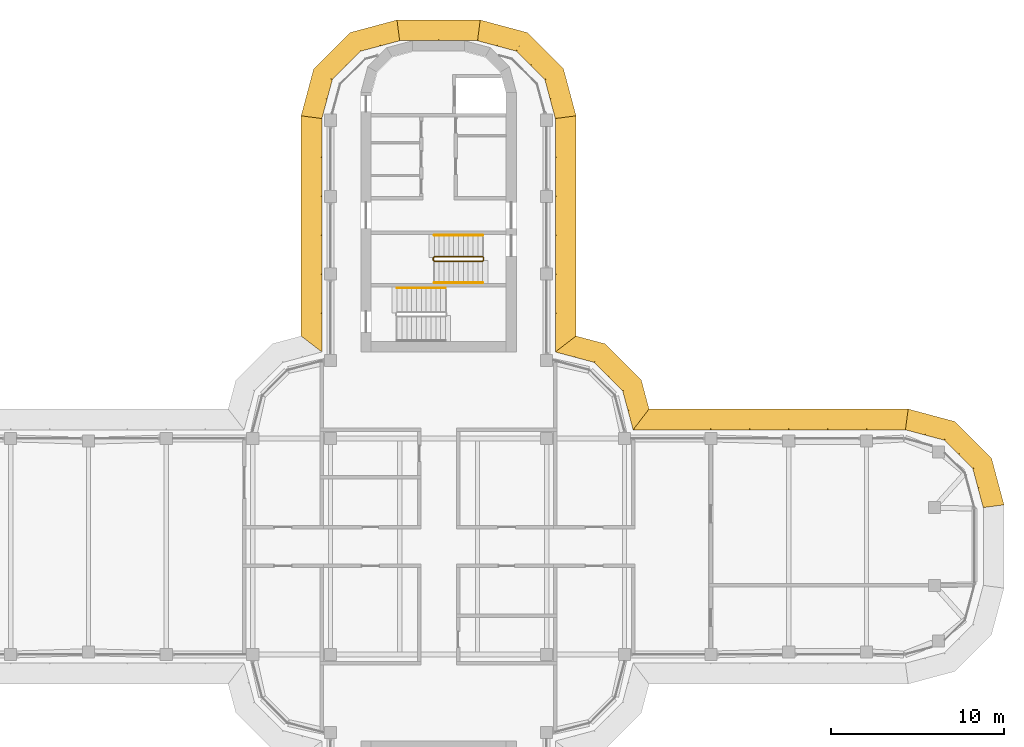
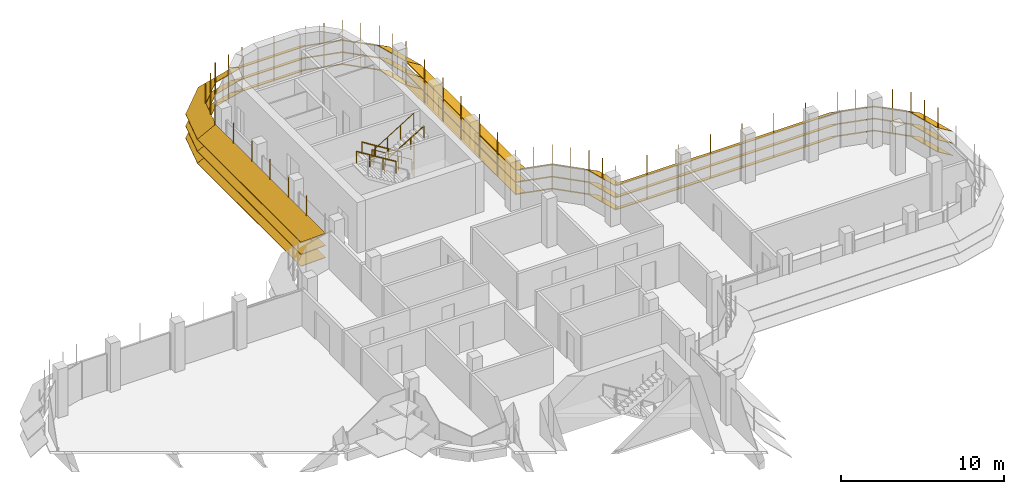
# One storey, part 18 of 19: 8 shading devices, 4 railings.
"""IFC4 building model written with IfcOpenShell, lengths in metres."""

from ifc_helpers import new_model, si_unit, direction, frame, origin, origin_2d, place, context, subcontext, project, spatial, polyline, circle, outline, extrude, faceted_brep, source, transform, mapped, material, type_object, element, save


model = new_model("IFC4")

# Units and contexts
model_context = context("Model", 3, precision=1e-05, world=origin(), true_north=direction((0.0, 1.0)))
body_context = subcontext(model_context, "Body", "Model", "MODEL_VIEW")
ifc_project = project(units=[si_unit("LENGTHUNIT", "METRE"), si_unit("AREAUNIT", "SQUARE_METRE"), si_unit("VOLUMEUNIT", "CUBIC_METRE"), si_unit("PLANEANGLEUNIT", "RADIAN"), si_unit("MASSUNIT", "GRAM", prefix="KILO")], contexts=[model_context])

# Site, building, storey
site_placement = place(None, origin())
site = spatial("IfcSite", under=ifc_project, at=site_placement, CompositionType="ELEMENT")
building_placement = place(site_placement, origin())
building = spatial("IfcBuilding", under=site, at=building_placement, Name="Zarbagh Exchange Tower", CompositionType="ELEMENT")
storey_placement = place(building_placement, frame((0.0, 0.0, 229.60009765625)))
storey = spatial("IfcBuildingStorey", under=building, at=storey_placement, Name="L56", CompositionType="ELEMENT", Elevation=229.60009765625)

# Railings
ifc_material_1 = material(Name="Stainless steel", Category="steel")
railing_type_1 = type_object("IfcRailingType", Name="Stair guard 1100 mm", PredefinedType="GUARDRAIL", material=ifc_material_1)
railing_1_placement = place(storey_placement, frame((2.550048828125, 16.75, 0.172607421875)))
element("IfcRailing", 1, at=railing_1_placement, inside=storey, type_object=railing_type_1, Name="ST1 stair guard 1", PredefinedType="GUARDRAIL", context=body_context, shape_type="SweptSolid", body=[
    extrude(circle(Radius=0.02392578125, at=origin_2d()), frame((0.0, 0.0, 1.076171875), z_axis=(-0.851089632645, 0.0, 0.525020415988), x_axis=(0.0, -1.0, 0.0)), (0.0, 0.0, 1.0), 3.2900390625),
    extrude(circle(Radius=0.02392578125, at=origin_2d()), frame((-2.800048828125, 0.0, 2.80322265625), z_axis=(-0.707106781187, -0.707106781187, 0.0), x_axis=(0.707106781187, -0.707106781187, 0.0)), (0.0, 0.0, 1.0), 0.07080078125),
    extrude(circle(Radius=0.02392578125, at=origin_2d()), frame((-2.85009765625, -0.050048828125, 2.80322265625), z_axis=(0.0, -1.0, 0.0), x_axis=(1.0, 0.0, 0.0)), (0.0, 0.0, 1.0), 0.14990234375),
    extrude(circle(Radius=0.02392578125, at=origin_2d()), frame((-2.85009765625, -0.199951171875, 2.80322265625), z_axis=(0.268277960024, -0.268277960024, 0.925231793839), x_axis=(0.707106781187, 0.707106781187, 0.0)), (0.0, 0.0, 1.0), 0.1865234375),
    extrude(circle(Radius=0.02392578125, at=origin_2d()), frame((-2.800048828125, -0.25, 2.97607421875), z_axis=(0.851089632645, 0.0, 0.525020415988), x_axis=(0.0, 1.0, 0.0)), (0.0, 0.0, 1.0), 3.2900390625),
    extrude(circle(Radius=0.02392578125, at=origin_2d()), frame((0.0, -0.25, 4.703125), z_axis=(0.013169136761, 0.013169136761, -0.999826558796), x_axis=(-0.707106781187, 0.707106781187, 0.0)), (0.0, 0.0, 1.0), 3.800537109375),
    extrude(circle(Radius=0.02392578125, at=origin_2d()), frame((0.050048828125, -0.199951171875, 0.9033203125), z_axis=(0.0, 1.0, 0.0), x_axis=(-1.0, 0.0, 0.0)), (0.0, 0.0, 1.0), 0.14990234375),
    extrude(circle(Radius=0.02099609375, at=origin_2d()), origin(), (0.0, 0.0, 1.0), 1.052001953125),
    extrude(circle(Radius=0.02099609375, at=origin_2d()), frame((-0.933349609375, 0.0, 0.57568359375)), (0.0, 0.0, 1.0), 1.052001953125),
    extrude(circle(Radius=0.02099609375, at=origin_2d()), frame((-1.86669921875, 0.0, 1.151611328125)), (0.0, 0.0, 1.0), 1.052001953125),
    extrude(circle(Radius=0.02099609375, at=origin_2d()), frame((-2.800048828125, 0.0, 1.727294921875)), (0.0, 0.0, 1.0), 1.052001953125),
    extrude(circle(Radius=0.02099609375, at=origin_2d()), frame((-2.85009765625, -0.050048828125, 1.727294921875)), (0.0, 0.0, 1.0), 1.052001953125),
    extrude(circle(Radius=0.02099609375, at=origin_2d()), frame((-2.85009765625, -0.199951171875, 1.727294921875)), (0.0, 0.0, 1.0), 1.052001953125),
    extrude(circle(Radius=0.02099609375, at=origin_2d()), frame((-2.800048828125, -0.25, 1.89990234375)), (0.0, 0.0, 1.0), 1.052001953125),
    extrude(circle(Radius=0.02099609375, at=origin_2d()), frame((-1.86669921875, -0.25, 2.4755859375)), (0.0, 0.0, 1.0), 1.052001953125),
    extrude(circle(Radius=0.02099609375, at=origin_2d()), frame((-0.933349609375, -0.25, 3.051513671875)), (0.0, 0.0, 1.0), 1.052001953125),
    extrude(circle(Radius=0.02099609375, at=origin_2d()), frame((0.0, -0.25, 3.627197265625)), (0.0, 0.0, 1.0), 1.052001953125),
    extrude(circle(Radius=0.02099609375, at=origin_2d()), frame((0.012451171875, -0.237548828125, 2.67724609375)), (0.0, 0.0, 1.0), 1.052001953125),
    extrude(circle(Radius=0.02099609375, at=origin_2d()), frame((0.02490234375, -0.22509765625, 1.727294921875)), (0.0, 0.0, 1.0), 1.052001953125),
    extrude(circle(Radius=0.02099609375, at=origin_2d()), frame((0.03759765625, -0.21240234375, 0.77734375)), (0.0, 0.0, 1.0), 1.052001953125),
    extrude(circle(Radius=0.02099609375, at=origin_2d()), frame((0.050048828125, -0.199951171875, -0.172607421875)), (0.0, 0.0, 1.0), 1.052001953125),
    extrude(circle(Radius=0.02099609375, at=origin_2d()), frame((0.050048828125, -0.050048828125, -0.172607421875)), (0.0, 0.0, 1.0), 1.052001953125),
])
railing_type_2 = type_object("IfcRailingType", Name="Stair handrail 900 mm", PredefinedType="HANDRAIL", material=ifc_material_1)
railing_2_placement = place(storey_placement, frame((2.550048828125, 18.0, 0.172607421875)))
element("IfcRailing", 2, at=railing_2_placement, inside=storey, type_object=railing_type_2, Name="ST1 stair handrail 1", PredefinedType="HANDRAIL", context=body_context, shape_type="SweptSolid", body=[
    extrude(circle(Radius=0.02392578125, at=origin_2d()), frame((0.0, 0.0, 0.8759765625), z_axis=(-0.851089632645, 0.0, 0.525020415988), x_axis=(0.0, -1.0, 0.0)), (0.0, 0.0, 1.0), 3.2900390625),
    extrude(circle(Radius=0.02099609375, at=origin_2d()), origin(), (0.0, 0.0, 1.0), 0.851806640625),
    extrude(circle(Radius=0.02099609375, at=origin_2d()), frame((-0.933349609375, 0.0, 0.57568359375)), (0.0, 0.0, 1.0), 0.851806640625),
    extrude(circle(Radius=0.02099609375, at=origin_2d()), frame((-1.86669921875, 0.0, 1.151611328125)), (0.0, 0.0, 1.0), 0.851806640625),
    extrude(circle(Radius=0.02099609375, at=origin_2d()), frame((-2.800048828125, 0.0, 1.727294921875)), (0.0, 0.0, 1.0), 0.851806640625),
])
railing_3_placement = place(storey_placement, frame((-0.25, 15.25, 2.072509765625)))
element("IfcRailing", 3, at=railing_3_placement, inside=storey, type_object=railing_type_2, Name="ST1 stair handrail 2", PredefinedType="HANDRAIL", context=body_context, shape_type="SweptSolid", body=[
    extrude(circle(Radius=0.02392578125, at=origin_2d()), frame((0.0, 0.0, 0.8759765625), z_axis=(0.851089632645, 0.0, 0.525020415988), x_axis=(0.0, 1.0, 0.0)), (0.0, 0.0, 1.0), 3.2900390625),
    extrude(circle(Radius=0.02099609375, at=origin_2d()), origin(), (0.0, 0.0, 1.0), 0.851806640625),
    extrude(circle(Radius=0.02099609375, at=origin_2d()), frame((0.933349609375, 0.0, 0.57568359375)), (0.0, 0.0, 1.0), 0.851806640625),
    extrude(circle(Radius=0.02099609375, at=origin_2d()), frame((1.86669921875, 0.0, 1.151611328125)), (0.0, 0.0, 1.0), 0.851806640625),
    extrude(circle(Radius=0.02099609375, at=origin_2d()), frame((2.800048828125, 0.0, 1.727294921875)), (0.0, 0.0, 1.0), 0.851806640625),
])
railing_4_placement = place(storey_placement, frame((0.39990234375, 14.949951171875, 2.072509765625)))
element("IfcRailing", 4, at=railing_4_placement, inside=storey, type_object=railing_type_2, Name="ST2 stair handrail 2", PredefinedType="HANDRAIL", context=body_context, shape_type="SweptSolid", body=[
    extrude(circle(Radius=0.02392578125, at=origin_2d()), frame((0.0, 0.0, 0.8759765625), z_axis=(-0.851069175582, 0.0, 0.525053576669), x_axis=(0.0, -1.0, 0.0)), (0.0, 0.0, 1.0), 3.289794921875),
    extrude(circle(Radius=0.02099609375, at=origin_2d()), origin(), (0.0, 0.0, 1.0), 0.851806640625),
    extrude(circle(Radius=0.02099609375, at=origin_2d()), frame((-0.933349609375, 0.0, 0.57568359375)), (0.0, 0.0, 1.0), 0.851806640625),
    extrude(circle(Radius=0.02099609375, at=origin_2d()), frame((-1.866455078125, 0.0, 1.151611328125)), (0.0, 0.0, 1.0), 0.851806640625),
    extrude(circle(Radius=0.02099609375, at=origin_2d()), frame((-2.7998046875, 0.0, 1.727294921875)), (0.0, 0.0, 1.0), 0.851806640625),
])

# Shading devices
ifc_material_2 = material(Name="Anodised aluminium blades and brackets", Category="aluminium")
shading_device_type = type_object("IfcShadingDeviceType", Name="SUNSHADE louvre band, 33.75 degree blades", PredefinedType="JALOUSIE", material=ifc_material_2)
shared_shape_1 = source(origin(), body_context, "Body", "Brep", [
    faceted_brep([(0.0, 0.0, 0.0), (0.0, 0.0, -0.048095703125), (-0.157958984375, -1.199951171875, -0.849853515625), (-0.157958984375, -1.199951171875, -0.8017578125), (2.65087890625, -1.199951171875, -0.8017578125), (2.65087890625, -1.199951171875, -0.849853515625), (2.329345703125, 0.0, -0.048095703125), (2.329345703125, 0.0, 0.0)], [[[0, 1, 2, 3]], [[4, 5, 6, 7]], [[0, 7, 6, 1]], [[1, 6, 5, 2]], [[2, 5, 4, 3]], [[3, 4, 7, 0]]]),
])
shared_shape_2 = source(origin(), body_context, "Body", "Brep", [
    faceted_brep([(0.0, 0.0, 0.0), (0.0, 0.0, -0.048095703125), (-0.321533203125, -1.199951171875, -0.849853515625), (-0.321533203125, -1.199951171875, -0.8017578125), (2.65087890625, -1.199951171875, -0.8017578125), (2.65087890625, -1.199951171875, -0.849853515625), (2.329345703125, 0.0, -0.048095703125), (2.329345703125, 0.0, 0.0)], [[[0, 1, 2, 3]], [[4, 5, 6, 7]], [[0, 7, 6, 1]], [[1, 6, 5, 2]], [[2, 5, 4, 3]], [[3, 4, 7, 0]]]),
])
shared_shape_3 = source(origin(), body_context, "Body", "Brep", [
    faceted_brep([(0.0, 0.0, 0.0), (0.0, 0.0, -0.048095703125), (-0.321533203125, -1.199951171875, -0.849853515625), (-0.321533203125, -1.199951171875, -0.8017578125), (2.4873046875, -1.199951171875, -0.8017578125), (2.4873046875, -1.199951171875, -0.849853515625), (2.329345703125, 0.0, -0.048095703125), (2.329345703125, 0.0, 0.0)], [[[0, 1, 2, 3]], [[4, 5, 6, 7]], [[0, 7, 6, 1]], [[1, 6, 5, 2]], [[2, 5, 4, 3]], [[3, 4, 7, 0]]]),
])
shared_shape_4 = source(origin(), body_context, "Body", "SweptSolid", [
    extrude(outline(polyline([(0.0, -0.012451171875), (0.06005859375, -0.012451171875), (0.06005859375, 0.012451171875), (0.0, 0.012451171875), (0.0, -0.012451171875)])), origin(), (0.0, 0.0, 1.0), 3.358154296875),
])
placement = place(storey_placement, origin())
element("IfcShadingDevice", 5, at=placement, inside=storey, type_object=shading_device_type, Name="SS33 sunshade band", PredefinedType="JALOUSIE", context=body_context, shape_type="MappedRepresentation", body=[
    mapped(shared_shape_1, transform((31.5, 2.25, 2.2998046875), x_axis=(-0.258824779902, 0.965924289636, 0.0), y_axis=(-0.965924289636, -0.258824779902, 0.0), z_axis=(0.0, 0.0, 1.0))),
    mapped(shared_shape_1, transform((31.5, 2.25, 1.39990234375), x_axis=(-0.258824779902, 0.965924289636, 0.0), y_axis=(-0.965924289636, -0.258824779902, 0.0), z_axis=(0.0, 0.0, 1.0))),
    mapped(shared_shape_1, transform((31.5, 2.25, 0.5), x_axis=(-0.258824779902, 0.965924289636, 0.0), y_axis=(-0.965924289636, -0.258824779902, 0.0), z_axis=(0.0, 0.0, 1.0))),
    mapped(shared_shape_2, transform((30.897216796875, 4.5, 2.2998046875), x_axis=(-0.707106781187, 0.707106781187, 0.0), y_axis=(-0.707106781187, -0.707106781187, 0.0), z_axis=(0.0, 0.0, 1.0))),
    mapped(shared_shape_2, transform((30.897216796875, 4.5, 1.39990234375), x_axis=(-0.707106781187, 0.707106781187, 0.0), y_axis=(-0.707106781187, -0.707106781187, 0.0), z_axis=(0.0, 0.0, 1.0))),
    mapped(shared_shape_2, transform((30.897216796875, 4.5, 0.5), x_axis=(-0.707106781187, 0.707106781187, 0.0), y_axis=(-0.707106781187, -0.707106781187, 0.0), z_axis=(0.0, 0.0, 1.0))),
    mapped(shared_shape_3, transform((29.25, 6.147216796875, 2.2998046875), x_axis=(-0.965924289636, 0.258824779902, 0.0), y_axis=(-0.258824779902, -0.965924289636, 0.0), z_axis=(0.0, 0.0, 1.0))),
    mapped(shared_shape_3, transform((29.25, 6.147216796875, 1.39990234375), x_axis=(-0.965924289636, 0.258824779902, 0.0), y_axis=(-0.258824779902, -0.965924289636, 0.0), z_axis=(0.0, 0.0, 1.0))),
    mapped(shared_shape_3, transform((29.25, 6.147216796875, 0.5), x_axis=(-0.965924289636, 0.258824779902, 0.0), y_axis=(-0.258824779902, -0.965924289636, 0.0), z_axis=(0.0, 0.0, 1.0))),
    mapped(shared_shape_4, transform((31.5, 2.25, 0.421875), x_axis=(0.991444457092, 0.130529263012, 0.0), y_axis=(-0.130529263012, 0.991444457092, 0.0), z_axis=(0.0, 0.0, 1.0))),
    mapped(shared_shape_4, transform((31.198486328125, 3.375, 0.421875), x_axis=(0.96592421511, 0.258825058029, 0.0), y_axis=(-0.258825058029, 0.96592421511, 0.0), z_axis=(0.0, 0.0, 1.0))),
    mapped(shared_shape_4, transform((30.897216796875, 4.5, 0.421875), x_axis=(0.866023812018, 0.50000275701, 0.0), y_axis=(-0.50000275701, 0.866023812018, 0.0), z_axis=(0.0, 0.0, 1.0))),
    mapped(shared_shape_4, transform((30.073486328125, 5.323486328125, 0.421875), x_axis=(0.707106781187, 0.707106781187, 0.0), y_axis=(-0.707106781187, 0.707106781187, 0.0), z_axis=(0.0, 0.0, 1.0))),
    mapped(shared_shape_4, transform((29.25, 6.147216796875, 0.421875), x_axis=(0.50000275701, 0.866023812018, 0.0), y_axis=(-0.866023812018, 0.50000275701, 0.0), z_axis=(0.0, 0.0, 1.0))),
    mapped(shared_shape_4, transform((28.125, 6.448486328125, 0.421875), x_axis=(0.258825058029, 0.96592421511, 0.0), y_axis=(-0.96592421511, 0.258825058029, 0.0), z_axis=(0.0, 0.0, 1.0))),
])
element("IfcShadingDevice", 6, at=placement, inside=storey, type_object=shading_device_type, Name="SS46 sunshade band", PredefinedType="JALOUSIE", context=body_context, shape_type="MappedRepresentation", body=[
    mapped(shared_shape_1, transform((6.75, 24.75, 2.2998046875), x_axis=(-0.258824779902, 0.965924289636, 0.0), y_axis=(-0.965924289636, -0.258824779902, 0.0), z_axis=(0.0, 0.0, 1.0))),
    mapped(shared_shape_1, transform((6.75, 24.75, 1.39990234375), x_axis=(-0.258824779902, 0.965924289636, 0.0), y_axis=(-0.965924289636, -0.258824779902, 0.0), z_axis=(0.0, 0.0, 1.0))),
    mapped(shared_shape_1, transform((6.75, 24.75, 0.5), x_axis=(-0.258824779902, 0.965924289636, 0.0), y_axis=(-0.965924289636, -0.258824779902, 0.0), z_axis=(0.0, 0.0, 1.0))),
    mapped(shared_shape_2, transform((6.147216796875, 27.0, 2.2998046875), x_axis=(-0.707106781187, 0.707106781187, 0.0), y_axis=(-0.707106781187, -0.707106781187, 0.0), z_axis=(0.0, 0.0, 1.0))),
    mapped(shared_shape_2, transform((6.147216796875, 27.0, 1.39990234375), x_axis=(-0.707106781187, 0.707106781187, 0.0), y_axis=(-0.707106781187, -0.707106781187, 0.0), z_axis=(0.0, 0.0, 1.0))),
    mapped(shared_shape_2, transform((6.147216796875, 27.0, 0.5), x_axis=(-0.707106781187, 0.707106781187, 0.0), y_axis=(-0.707106781187, -0.707106781187, 0.0), z_axis=(0.0, 0.0, 1.0))),
    mapped(shared_shape_3, transform((4.5, 28.647216796875, 2.2998046875), x_axis=(-0.965924289636, 0.258824779902, 0.0), y_axis=(-0.258824779902, -0.965924289636, 0.0), z_axis=(0.0, 0.0, 1.0))),
    mapped(shared_shape_3, transform((4.5, 28.647216796875, 1.39990234375), x_axis=(-0.965924289636, 0.258824779902, 0.0), y_axis=(-0.258824779902, -0.965924289636, 0.0), z_axis=(0.0, 0.0, 1.0))),
    mapped(shared_shape_3, transform((4.5, 28.647216796875, 0.5), x_axis=(-0.965924289636, 0.258824779902, 0.0), y_axis=(-0.258824779902, -0.965924289636, 0.0), z_axis=(0.0, 0.0, 1.0))),
    mapped(shared_shape_4, transform((6.75, 24.75, 0.421875), x_axis=(0.991444457092, 0.130529263012, 0.0), y_axis=(-0.130529263012, 0.991444457092, 0.0), z_axis=(0.0, 0.0, 1.0))),
    mapped(shared_shape_4, transform((6.448486328125, 25.875, 0.421875), x_axis=(0.96592421511, 0.258825058029, 0.0), y_axis=(-0.258825058029, 0.96592421511, 0.0), z_axis=(0.0, 0.0, 1.0))),
    mapped(shared_shape_4, transform((6.147216796875, 27.0, 0.421875), x_axis=(0.866023812018, 0.50000275701, 0.0), y_axis=(-0.50000275701, 0.866023812018, 0.0), z_axis=(0.0, 0.0, 1.0))),
    mapped(shared_shape_4, transform((5.323486328125, 27.823486328125, 0.421875), x_axis=(0.707106781187, 0.707106781187, 0.0), y_axis=(-0.707106781187, 0.707106781187, 0.0), z_axis=(0.0, 0.0, 1.0))),
    mapped(shared_shape_4, transform((4.5, 28.647216796875, 0.421875), x_axis=(0.50000275701, 0.866023812018, 0.0), y_axis=(-0.866023812018, 0.50000275701, 0.0), z_axis=(0.0, 0.0, 1.0))),
    mapped(shared_shape_4, transform((3.375, 28.948486328125, 0.421875), x_axis=(0.258825058029, 0.96592421511, 0.0), y_axis=(-0.96592421511, 0.258825058029, 0.0), z_axis=(0.0, 0.0, 1.0))),
])
element("IfcShadingDevice", 7, at=placement, inside=storey, type_object=shading_device_type, Name="SS48 sunshade band", PredefinedType="JALOUSIE", context=body_context, shape_type="MappedRepresentation", body=[
    mapped(shared_shape_1, transform((-2.25, 29.25, 2.2998046875), x_axis=(-0.965924289636, -0.258824779902, 0.0), y_axis=(0.258824779902, -0.965924289636, 0.0), z_axis=(0.0, 0.0, 1.0))),
    mapped(shared_shape_1, transform((-2.25, 29.25, 1.39990234375), x_axis=(-0.965924289636, -0.258824779902, 0.0), y_axis=(0.258824779902, -0.965924289636, 0.0), z_axis=(0.0, 0.0, 1.0))),
    mapped(shared_shape_1, transform((-2.25, 29.25, 0.5), x_axis=(-0.965924289636, -0.258824779902, 0.0), y_axis=(0.258824779902, -0.965924289636, 0.0), z_axis=(0.0, 0.0, 1.0))),
    mapped(shared_shape_2, transform((-4.5, 28.647216796875, 2.2998046875), x_axis=(-0.707106781187, -0.707106781187, 0.0), y_axis=(0.707106781187, -0.707106781187, 0.0), z_axis=(0.0, 0.0, 1.0))),
    mapped(shared_shape_2, transform((-4.5, 28.647216796875, 1.39990234375), x_axis=(-0.707106781187, -0.707106781187, 0.0), y_axis=(0.707106781187, -0.707106781187, 0.0), z_axis=(0.0, 0.0, 1.0))),
    mapped(shared_shape_2, transform((-4.5, 28.647216796875, 0.5), x_axis=(-0.707106781187, -0.707106781187, 0.0), y_axis=(0.707106781187, -0.707106781187, 0.0), z_axis=(0.0, 0.0, 1.0))),
    mapped(shared_shape_3, transform((-6.147216796875, 27.0, 2.2998046875), x_axis=(-0.258824779902, -0.965924289636, 0.0), y_axis=(0.965924289636, -0.258824779902, 0.0), z_axis=(0.0, 0.0, 1.0))),
    mapped(shared_shape_3, transform((-6.147216796875, 27.0, 1.39990234375), x_axis=(-0.258824779902, -0.965924289636, 0.0), y_axis=(0.965924289636, -0.258824779902, 0.0), z_axis=(0.0, 0.0, 1.0))),
    mapped(shared_shape_3, transform((-6.147216796875, 27.0, 0.5), x_axis=(-0.258824779902, -0.965924289636, 0.0), y_axis=(0.965924289636, -0.258824779902, 0.0), z_axis=(0.0, 0.0, 1.0))),
    mapped(shared_shape_4, transform((-2.25, 29.25, 0.421875), x_axis=(-0.130529263012, 0.991444457092, 0.0), y_axis=(-0.991444457092, -0.130529263012, 0.0), z_axis=(0.0, 0.0, 1.0))),
    mapped(shared_shape_4, transform((-3.375, 28.948486328125, 0.421875), x_axis=(-0.258825058029, 0.96592421511, 0.0), y_axis=(-0.96592421511, -0.258825058029, 0.0), z_axis=(0.0, 0.0, 1.0))),
    mapped(shared_shape_4, transform((-4.5, 28.647216796875, 0.421875), x_axis=(-0.50000275701, 0.866023812018, 0.0), y_axis=(-0.866023812018, -0.50000275701, 0.0), z_axis=(0.0, 0.0, 1.0))),
    mapped(shared_shape_4, transform((-5.323486328125, 27.823486328125, 0.421875), x_axis=(-0.707106781187, 0.707106781187, 0.0), y_axis=(-0.707106781187, -0.707106781187, 0.0), z_axis=(0.0, 0.0, 1.0))),
    mapped(shared_shape_4, transform((-6.147216796875, 27.0, 0.421875), x_axis=(-0.866023812018, 0.50000275701, 0.0), y_axis=(-0.50000275701, -0.866023812018, 0.0), z_axis=(0.0, 0.0, 1.0))),
    mapped(shared_shape_4, transform((-6.448486328125, 25.875, 0.421875), x_axis=(-0.96592421511, 0.258825058029, 0.0), y_axis=(-0.258825058029, -0.96592421511, 0.0), z_axis=(0.0, 0.0, 1.0))),
])
shared_shape_5 = source(origin(), body_context, "Body", "Brep", [
    faceted_brep([(0.0, 0.0, 0.0), (0.0, 0.0, -0.048095703125), (0.9208984375, -1.199951171875, -0.849853515625), (0.9208984375, -1.199951171875, -0.8017578125), (2.65087890625, -1.199951171875, -0.8017578125), (2.65087890625, -1.199951171875, -0.849853515625), (2.329345703125, 0.0, -0.048095703125), (2.329345703125, 0.0, 0.0)], [[[0, 1, 2, 3]], [[4, 5, 6, 7]], [[0, 7, 6, 1]], [[1, 6, 5, 2]], [[2, 5, 4, 3]], [[3, 4, 7, 0]]]),
])
shared_shape_6 = source(origin(), body_context, "Body", "Brep", [
    faceted_brep([(0.0, 0.0, 0.0), (0.0, 0.0, -0.048095703125), (-0.321533203125, -1.199951171875, -0.849853515625), (-0.321533203125, -1.199951171875, -0.8017578125), (1.40869140625, -1.199951171875, -0.8017578125), (1.40869140625, -1.199951171875, -0.849853515625), (2.329345703125, 0.0, -0.048095703125), (2.329345703125, 0.0, 0.0)], [[[0, 1, 2, 3]], [[4, 5, 6, 7]], [[0, 7, 6, 1]], [[1, 6, 5, 2]], [[2, 5, 4, 3]], [[3, 4, 7, 0]]]),
])
element("IfcShadingDevice", 8, at=placement, inside=storey, type_object=shading_device_type, Name="SS09 sunshade band", PredefinedType="JALOUSIE", context=body_context, shape_type="MappedRepresentation", body=[
    mapped(shared_shape_5, transform((11.25, 6.75, 2.2998046875), x_axis=(-0.258824779902, 0.965924289636, 0.0), y_axis=(-0.965924289636, -0.258824779902, 0.0), z_axis=(0.0, 0.0, 1.0))),
    mapped(shared_shape_5, transform((11.25, 6.75, 1.39990234375), x_axis=(-0.258824779902, 0.965924289636, 0.0), y_axis=(-0.965924289636, -0.258824779902, 0.0), z_axis=(0.0, 0.0, 1.0))),
    mapped(shared_shape_5, transform((11.25, 6.75, 0.5), x_axis=(-0.258824779902, 0.965924289636, 0.0), y_axis=(-0.965924289636, -0.258824779902, 0.0), z_axis=(0.0, 0.0, 1.0))),
    mapped(shared_shape_2, transform((10.647216796875, 9.0, 2.2998046875), x_axis=(-0.707106781187, 0.707106781187, 0.0), y_axis=(-0.707106781187, -0.707106781187, 0.0), z_axis=(0.0, 0.0, 1.0))),
    mapped(shared_shape_2, transform((10.647216796875, 9.0, 1.39990234375), x_axis=(-0.707106781187, 0.707106781187, 0.0), y_axis=(-0.707106781187, -0.707106781187, 0.0), z_axis=(0.0, 0.0, 1.0))),
    mapped(shared_shape_2, transform((10.647216796875, 9.0, 0.5), x_axis=(-0.707106781187, 0.707106781187, 0.0), y_axis=(-0.707106781187, -0.707106781187, 0.0), z_axis=(0.0, 0.0, 1.0))),
    mapped(shared_shape_6, transform((9.0, 10.647216796875, 2.2998046875), x_axis=(-0.965924289636, 0.258824779902, 0.0), y_axis=(-0.258824779902, -0.965924289636, 0.0), z_axis=(0.0, 0.0, 1.0))),
    mapped(shared_shape_6, transform((9.0, 10.647216796875, 1.39990234375), x_axis=(-0.965924289636, 0.258824779902, 0.0), y_axis=(-0.258824779902, -0.965924289636, 0.0), z_axis=(0.0, 0.0, 1.0))),
    mapped(shared_shape_6, transform((9.0, 10.647216796875, 0.5), x_axis=(-0.965924289636, 0.258824779902, 0.0), y_axis=(-0.258824779902, -0.965924289636, 0.0), z_axis=(0.0, 0.0, 1.0))),
    mapped(shared_shape_4, transform((11.25, 6.75, 0.421875), x_axis=(0.608758892, 0.793355287, 0.0), y_axis=(-0.793355287, 0.608758892, 0.0), z_axis=(0.0, 0.0, 1.0))),
    mapped(shared_shape_4, transform((10.948486328125, 7.875, 0.421875), x_axis=(0.96592421511, 0.258825058029, 0.0), y_axis=(-0.258825058029, 0.96592421511, 0.0), z_axis=(0.0, 0.0, 1.0))),
    mapped(shared_shape_4, transform((10.647216796875, 9.0, 0.421875), x_axis=(0.866023812018, 0.50000275701, 0.0), y_axis=(-0.50000275701, 0.866023812018, 0.0), z_axis=(0.0, 0.0, 1.0))),
    mapped(shared_shape_4, transform((9.823486328125, 9.823486328125, 0.421875), x_axis=(0.707106781187, 0.707106781187, 0.0), y_axis=(-0.707106781187, 0.707106781187, 0.0), z_axis=(0.0, 0.0, 1.0))),
    mapped(shared_shape_4, transform((9.0, 10.647216796875, 0.421875), x_axis=(0.50000275701, 0.866023812018, 0.0), y_axis=(-0.866023812018, 0.50000275701, 0.0), z_axis=(0.0, 0.0, 1.0))),
    mapped(shared_shape_4, transform((7.875, 10.948486328125, 0.421875), x_axis=(0.258825058029, 0.96592421511, 0.0), y_axis=(-0.96592421511, 0.258825058029, 0.0), z_axis=(0.0, 0.0, 1.0))),
])
shared_shape_7 = source(origin(), body_context, "Body", "Brep", [
    faceted_brep([(0.0, 0.0, 0.0), (0.0, 0.0, -0.048095703125), (-0.157958984375, -1.199951171875, -0.849853515625), (-0.157958984375, -1.199951171875, -0.8017578125), (14.8291015625, -1.199951171875, -0.8017578125), (14.8291015625, -1.199951171875, -0.849853515625), (15.75, 0.0, -0.048095703125), (15.75, 0.0, 0.0)], [[[0, 1, 2, 3]], [[4, 5, 6, 7]], [[0, 7, 6, 1]], [[1, 6, 5, 2]], [[2, 5, 4, 3]], [[3, 4, 7, 0]]]),
])
element("IfcShadingDevice", 9, at=placement, inside=storey, type_object=shading_device_type, Name="SS34 sunshade band", PredefinedType="JALOUSIE", context=body_context, shape_type="MappedRepresentation", body=[
    mapped(shared_shape_7, transform((27.0, 6.75, 2.2998046875), x_axis=(-1.0, 0.0, 0.0), y_axis=(0.0, -1.0, 0.0), z_axis=(0.0, 0.0, 1.0))),
    mapped(shared_shape_7, transform((27.0, 6.75, 1.39990234375), x_axis=(-1.0, 0.0, 0.0), y_axis=(0.0, -1.0, 0.0), z_axis=(0.0, 0.0, 1.0))),
    mapped(shared_shape_7, transform((27.0, 6.75, 0.5), x_axis=(-1.0, 0.0, 0.0), y_axis=(0.0, -1.0, 0.0), z_axis=(0.0, 0.0, 1.0))),
    mapped(shared_shape_4, transform((27.0, 6.75, 0.421875), x_axis=(0.130529263012, 0.991444457092, 0.0), y_axis=(-0.991444457092, 0.130529263012, 0.0), z_axis=(0.0, 0.0, 1.0))),
    mapped(shared_shape_4, transform((24.75, 6.75, 0.421875), x_axis=(0.0, 1.0, 0.0), y_axis=(-1.0, 0.0, 0.0), z_axis=(0.0, 0.0, 1.0))),
    mapped(shared_shape_4, transform((22.5, 6.75, 0.421875), x_axis=(0.0, 1.0, 0.0), y_axis=(-1.0, 0.0, 0.0), z_axis=(0.0, 0.0, 1.0))),
    mapped(shared_shape_4, transform((20.25, 6.75, 0.421875), x_axis=(0.0, 1.0, 0.0), y_axis=(-1.0, 0.0, 0.0), z_axis=(0.0, 0.0, 1.0))),
    mapped(shared_shape_4, transform((18.0, 6.75, 0.421875), x_axis=(0.0, 1.0, 0.0), y_axis=(-1.0, 0.0, 0.0), z_axis=(0.0, 0.0, 1.0))),
    mapped(shared_shape_4, transform((15.75, 6.75, 0.421875), x_axis=(0.0, 1.0, 0.0), y_axis=(-1.0, 0.0, 0.0), z_axis=(0.0, 0.0, 1.0))),
    mapped(shared_shape_4, transform((13.5, 6.75, 0.421875), x_axis=(0.0, 1.0, 0.0), y_axis=(-1.0, 0.0, 0.0), z_axis=(0.0, 0.0, 1.0))),
])
shared_shape_8 = source(origin(), body_context, "Body", "Brep", [
    faceted_brep([(0.0, 0.0, 0.0), (0.0, 0.0, -0.048095703125), (0.9208984375, -1.199951171875, -0.849853515625), (0.9208984375, -1.199951171875, -0.8017578125), (13.657958984375, -1.199951171875, -0.8017578125), (13.657958984375, -1.199951171875, -0.849853515625), (13.5, 0.0, -0.048095703125), (13.5, 0.0, 0.0)], [[[0, 1, 2, 3]], [[4, 5, 6, 7]], [[0, 7, 6, 1]], [[1, 6, 5, 2]], [[2, 5, 4, 3]], [[3, 4, 7, 0]]]),
])
element("IfcShadingDevice", 10, at=placement, inside=storey, type_object=shading_device_type, Name="SS45 sunshade band", PredefinedType="JALOUSIE", context=body_context, shape_type="MappedRepresentation", body=[
    mapped(shared_shape_8, transform((6.75, 11.25, 2.2998046875), x_axis=(0.0, 1.0, 0.0), y_axis=(-1.0, 0.0, 0.0), z_axis=(0.0, 0.0, 1.0))),
    mapped(shared_shape_8, transform((6.75, 11.25, 1.39990234375), x_axis=(0.0, 1.0, 0.0), y_axis=(-1.0, 0.0, 0.0), z_axis=(0.0, 0.0, 1.0))),
    mapped(shared_shape_8, transform((6.75, 11.25, 0.5), x_axis=(0.0, 1.0, 0.0), y_axis=(-1.0, 0.0, 0.0), z_axis=(0.0, 0.0, 1.0))),
    mapped(shared_shape_4, transform((6.75, 11.25, 0.421875), x_axis=(0.793355287, 0.608758892, 0.0), y_axis=(-0.608758892, 0.793355287, 0.0), z_axis=(0.0, 0.0, 1.0))),
    mapped(shared_shape_4, transform((6.75, 13.5, 0.421875), x_axis=(1.0, 0.0, 0.0), y_axis=(0.0, 1.0, 0.0), z_axis=(0.0, 0.0, 1.0))),
    mapped(shared_shape_4, transform((6.75, 15.75, 0.421875), x_axis=(1.0, 0.0, 0.0), y_axis=(0.0, 1.0, 0.0), z_axis=(0.0, 0.0, 1.0))),
    mapped(shared_shape_4, transform((6.75, 18.0, 0.421875), x_axis=(1.0, 0.0, 0.0), y_axis=(0.0, 1.0, 0.0), z_axis=(0.0, 0.0, 1.0))),
    mapped(shared_shape_4, transform((6.75, 20.25, 0.421875), x_axis=(1.0, 0.0, 0.0), y_axis=(0.0, 1.0, 0.0), z_axis=(0.0, 0.0, 1.0))),
    mapped(shared_shape_4, transform((6.75, 22.5, 0.421875), x_axis=(1.0, 0.0, 0.0), y_axis=(0.0, 1.0, 0.0), z_axis=(0.0, 0.0, 1.0))),
])
shared_shape_9 = source(origin(), body_context, "Body", "Brep", [
    faceted_brep([(0.0, 0.0, 0.0), (0.0, 0.0, -0.048095703125), (-0.157958984375, -1.199951171875, -0.849853515625), (-0.157958984375, -1.199951171875, -0.8017578125), (4.657958984375, -1.199951171875, -0.8017578125), (4.657958984375, -1.199951171875, -0.849853515625), (4.5, 0.0, -0.048095703125), (4.5, 0.0, 0.0)], [[[0, 1, 2, 3]], [[4, 5, 6, 7]], [[0, 7, 6, 1]], [[1, 6, 5, 2]], [[2, 5, 4, 3]], [[3, 4, 7, 0]]]),
])
element("IfcShadingDevice", 11, at=placement, inside=storey, type_object=shading_device_type, Name="SS47 sunshade band", PredefinedType="JALOUSIE", context=body_context, shape_type="MappedRepresentation", body=[
    mapped(shared_shape_9, transform((2.25, 29.25, 2.2998046875), x_axis=(-1.0, 0.0, 0.0), y_axis=(0.0, -1.0, 0.0), z_axis=(0.0, 0.0, 1.0))),
    mapped(shared_shape_9, transform((2.25, 29.25, 1.39990234375), x_axis=(-1.0, 0.0, 0.0), y_axis=(0.0, -1.0, 0.0), z_axis=(0.0, 0.0, 1.0))),
    mapped(shared_shape_9, transform((2.25, 29.25, 0.5), x_axis=(-1.0, 0.0, 0.0), y_axis=(0.0, -1.0, 0.0), z_axis=(0.0, 0.0, 1.0))),
    mapped(shared_shape_4, transform((2.25, 29.25, 0.421875), x_axis=(0.130529263012, 0.991444457092, 0.0), y_axis=(-0.991444457092, 0.130529263012, 0.0), z_axis=(0.0, 0.0, 1.0))),
    mapped(shared_shape_4, transform((0.0, 29.25, 0.421875), x_axis=(0.0, 1.0, 0.0), y_axis=(-1.0, 0.0, 0.0), z_axis=(0.0, 0.0, 1.0))),
])
shared_shape_10 = source(origin(), body_context, "Body", "Brep", [
    faceted_brep([(0.0, 0.0, 0.0), (0.0, 0.0, -0.048095703125), (-0.157958984375, -1.199951171875, -0.849853515625), (-0.157958984375, -1.199951171875, -0.8017578125), (12.5791015625, -1.199951171875, -0.8017578125), (12.5791015625, -1.199951171875, -0.849853515625), (13.5, 0.0, -0.048095703125), (13.5, 0.0, 0.0)], [[[0, 1, 2, 3]], [[4, 5, 6, 7]], [[0, 7, 6, 1]], [[1, 6, 5, 2]], [[2, 5, 4, 3]], [[3, 4, 7, 0]]]),
])
element("IfcShadingDevice", 12, at=placement, inside=storey, type_object=shading_device_type, Name="SS49 sunshade band", PredefinedType="JALOUSIE", context=body_context, shape_type="MappedRepresentation", body=[
    mapped(shared_shape_10, transform((-6.75, 24.75, 2.2998046875), x_axis=(0.0, -1.0, 0.0), y_axis=(1.0, 0.0, 0.0), z_axis=(0.0, 0.0, 1.0))),
    mapped(shared_shape_10, transform((-6.75, 24.75, 1.39990234375), x_axis=(0.0, -1.0, 0.0), y_axis=(1.0, 0.0, 0.0), z_axis=(0.0, 0.0, 1.0))),
    mapped(shared_shape_10, transform((-6.75, 24.75, 0.5), x_axis=(0.0, -1.0, 0.0), y_axis=(1.0, 0.0, 0.0), z_axis=(0.0, 0.0, 1.0))),
    mapped(shared_shape_4, transform((-6.75, 24.75, 0.421875), x_axis=(-0.991444457092, 0.130529263012, 0.0), y_axis=(-0.130529263012, -0.991444457092, 0.0), z_axis=(0.0, 0.0, 1.0))),
    mapped(shared_shape_4, transform((-6.75, 22.5, 0.421875), x_axis=(-1.0, 0.0, 0.0), y_axis=(0.0, -1.0, 0.0), z_axis=(0.0, 0.0, 1.0))),
    mapped(shared_shape_4, transform((-6.75, 20.25, 0.421875), x_axis=(-1.0, 0.0, 0.0), y_axis=(0.0, -1.0, 0.0), z_axis=(0.0, 0.0, 1.0))),
    mapped(shared_shape_4, transform((-6.75, 18.0, 0.421875), x_axis=(-1.0, 0.0, 0.0), y_axis=(0.0, -1.0, 0.0), z_axis=(0.0, 0.0, 1.0))),
    mapped(shared_shape_4, transform((-6.75, 15.75, 0.421875), x_axis=(-1.0, 0.0, 0.0), y_axis=(0.0, -1.0, 0.0), z_axis=(0.0, 0.0, 1.0))),
    mapped(shared_shape_4, transform((-6.75, 13.5, 0.421875), x_axis=(-1.0, 0.0, 0.0), y_axis=(0.0, -1.0, 0.0), z_axis=(0.0, 0.0, 1.0))),
])

save(model, "model.ifc")
